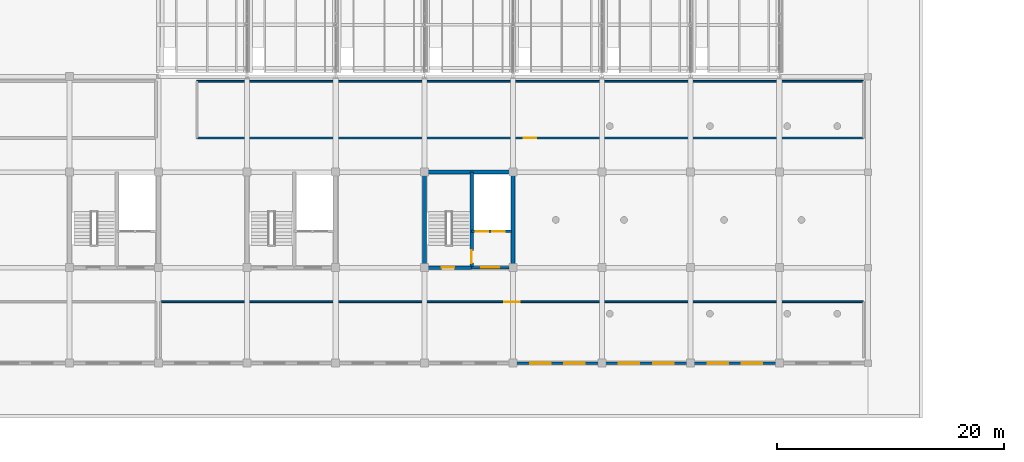
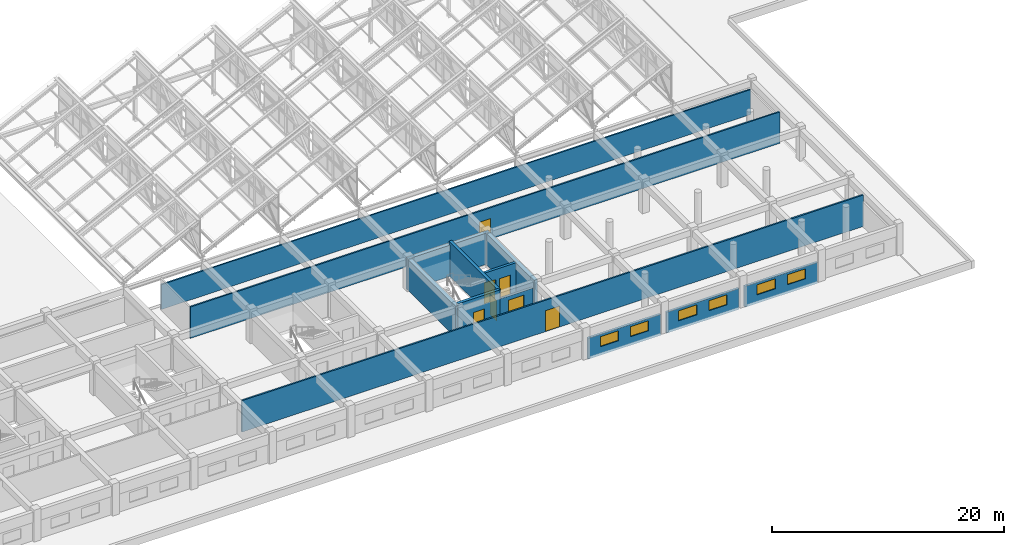
# One storey, part 91 of 101: 13 walls, 7 doors, 6 windows, 13 openings.
"""IFC4 building model written with IfcOpenShell, lengths in metres."""

from ifc_helpers import new_model, si_unit, direction, frame, frame_2d, origin, place, context, subcontext, project, spatial, rectangle, extrude, material, layer, layer_set, type_object, element, fill, save


model = new_model("IFC4")

# Units and contexts
model_context = context("Model", 3, precision=1e-05, world=origin(), true_north=direction((0.0, 1.0)))
body_context = subcontext(model_context, "Body", "Model", "MODEL_VIEW")
ifc_project = project(units=[si_unit("LENGTHUNIT", "METRE"), si_unit("AREAUNIT", "SQUARE_METRE"), si_unit("VOLUMEUNIT", "CUBIC_METRE"), si_unit("PLANEANGLEUNIT", "RADIAN"), si_unit("MASSUNIT", "GRAM", prefix="KILO")], contexts=[model_context])

# Site, building, storey
site_placement = place(None, origin())
site = spatial("IfcSite", under=ifc_project, at=site_placement, CompositionType="ELEMENT")
building_placement = place(site_placement, origin())
building = spatial("IfcBuilding", under=site, at=building_placement, Name="Zizhar Promenade General Hospital", CompositionType="ELEMENT")
storey_placement = place(building_placement, frame((0.0, 0.0, 14.39990234375)))
storey = spatial("IfcBuildingStorey", under=building, at=storey_placement, Name="L03", CompositionType="ELEMENT", Elevation=14.39990234375)

# Wall, openings, windows
ifc_material_1 = material(Name="Precast concrete C40/50", Category="concrete")
ifc_layer_1 = layer(ifc_material_1, 0.22509765625)
ifc_layer_set_1 = layer_set([ifc_layer_1], Name="Precast concrete C40/50")
wall_type_1 = type_object("IfcWallType", Name="EW-INT-225", PredefinedType="STANDARD", material=ifc_layer_set_1)
wall_1_placement = place(storey_placement, frame((108.909912109375, 0.0, 0.0), z_axis=(0.0, 0.0, 1.0), x_axis=(-1.0, 0.0, 0.0)))
wall_1 = element("IfcWall", 1, at=wall_1_placement, inside=storey, type_object=wall_type_1, Name="Riverfront Facade Wall L03-12", PredefinedType="STANDARD", context=body_context, shape_type="SweptSolid", body=[
    extrude(rectangle(XDim=7.219970703125, YDim=0.22509765625, at=frame_2d((3.60986328125, 0.0))), origin(), (0.0, 0.0, 1.0), 2.205078125),
])
opening_1_placement = place(wall_1_placement, frame((1.206787109375, 0.0, 0.89990234375)))
opening_1 = element("IfcOpeningElement", 2, at=opening_1_placement, cuts=wall_1, Name="Opening W-14", PredefinedType="OPENING", context=body_context, shape_type="SweptSolid", body=[
    extrude(rectangle(XDim=1.800048828125, YDim=1.050048828125, at=frame_2d((0.89990234375, 0.52490234375))), frame((0.0, 0.12255859375, 0.0), z_axis=(0.0, -1.0, 0.0), x_axis=(1.0, 0.0, 0.0)), (0.0, 0.0, 1.0), 0.2451171875),
])
opening_2_placement = place(wall_1_placement, frame((4.21337890625, 0.0, 0.89990234375)))
opening_2 = element("IfcOpeningElement", 3, at=opening_2_placement, cuts=wall_1, Name="Opening W-14", PredefinedType="OPENING", context=body_context, shape_type="SweptSolid", body=[
    extrude(rectangle(XDim=1.800048828125, YDim=1.050048828125, at=frame_2d((0.89990234375, 0.52490234375))), frame((0.0, 0.12255859375, 0.0), z_axis=(0.0, -1.0, 0.0), x_axis=(1.0, 0.0, 0.0)), (0.0, 0.0, 1.0), 0.2451171875),
])
ifc_material_2 = material(Name="Anodised aluminium 6063-T6 and low-E glass", Category="aluminium")
window_type = type_object("IfcWindowType", Name="WIN-INT-180x105", PartitioningType="DOUBLE_PANEL_HORIZONTAL", PredefinedType="WINDOW", material=ifc_material_2)
window_1_placement = place(opening_1_placement, origin())
window_1 = element("IfcWindow", 4, at=window_1_placement, inside=storey, type_object=window_type, Name="Riverfront Facade Wall L03-12 Window 1", OverallHeight=1.050048828125, OverallWidth=1.800048828125, PartitioningType="SINGLE_PANEL", PredefinedType="WINDOW", context=body_context, shape_type="SweptSolid", body=[
    extrude(rectangle(XDim=1.800048828125, YDim=1.050048828125, at=frame_2d((0.89990234375, 0.52490234375))), frame((0.0, 0.030029296875, 0.0), z_axis=(0.0, -1.0, 0.0), x_axis=(1.0, 0.0, 0.0)), (0.0, 0.0, 1.0), 0.06005859375),
])
fill(opening_1, window_1)
window_2_placement = place(opening_2_placement, origin())
window_2 = element("IfcWindow", 5, at=window_2_placement, inside=storey, type_object=window_type, Name="Riverfront Facade Wall L03-12 Window 2", OverallHeight=1.050048828125, OverallWidth=1.800048828125, PartitioningType="SINGLE_PANEL", PredefinedType="WINDOW", context=body_context, shape_type="SweptSolid", body=[
    extrude(rectangle(XDim=1.800048828125, YDim=1.050048828125, at=frame_2d((0.89990234375, 0.52490234375))), frame((0.0, 0.030029296875, 0.0), z_axis=(0.0, -1.0, 0.0), x_axis=(1.0, 0.0, 0.0)), (0.0, 0.0, 1.0), 0.06005859375),
])
fill(opening_2, window_2)

wall_2_placement = place(storey_placement, frame((116.7099609375, 0.0, 0.0), z_axis=(0.0, 0.0, 1.0), x_axis=(-1.0, 0.0, 0.0)))
wall_2 = element("IfcWall", 6, at=wall_2_placement, inside=storey, type_object=wall_type_1, Name="Riverfront Facade Wall L03-13", PredefinedType="STANDARD", context=body_context, shape_type="SweptSolid", body=[
    extrude(rectangle(XDim=7.219970703125, YDim=0.22509765625, at=frame_2d((3.60986328125, 0.0))), origin(), (0.0, 0.0, 1.0), 2.205078125),
])
opening_3_placement = place(wall_2_placement, frame((1.206787109375, 0.0, 0.89990234375)))
opening_3 = element("IfcOpeningElement", 7, at=opening_3_placement, cuts=wall_2, Name="Opening W-14", PredefinedType="OPENING", context=body_context, shape_type="SweptSolid", body=[
    extrude(rectangle(XDim=1.800048828125, YDim=1.050048828125, at=frame_2d((0.89990234375, 0.52490234375))), frame((0.0, 0.12255859375, 0.0), z_axis=(0.0, -1.0, 0.0), x_axis=(1.0, 0.0, 0.0)), (0.0, 0.0, 1.0), 0.2451171875),
])
opening_4_placement = place(wall_2_placement, frame((4.21337890625, 0.0, 0.89990234375)))
opening_4 = element("IfcOpeningElement", 8, at=opening_4_placement, cuts=wall_2, Name="Opening W-14", PredefinedType="OPENING", context=body_context, shape_type="SweptSolid", body=[
    extrude(rectangle(XDim=1.800048828125, YDim=1.050048828125, at=frame_2d((0.89990234375, 0.52490234375))), frame((0.0, 0.12255859375, 0.0), z_axis=(0.0, -1.0, 0.0), x_axis=(1.0, 0.0, 0.0)), (0.0, 0.0, 1.0), 0.2451171875),
])
window_3_placement = place(opening_3_placement, origin())
window_3 = element("IfcWindow", 9, at=window_3_placement, inside=storey, type_object=window_type, Name="Riverfront Facade Wall L03-13 Window 1", OverallHeight=1.050048828125, OverallWidth=1.800048828125, PartitioningType="SINGLE_PANEL", PredefinedType="WINDOW", context=body_context, shape_type="SweptSolid", body=[
    extrude(rectangle(XDim=1.800048828125, YDim=1.050048828125, at=frame_2d((0.89990234375, 0.52490234375))), frame((0.0, 0.030029296875, 0.0), z_axis=(0.0, -1.0, 0.0), x_axis=(1.0, 0.0, 0.0)), (0.0, 0.0, 1.0), 0.06005859375),
])
fill(opening_3, window_3)
window_4_placement = place(opening_4_placement, origin())
window_4 = element("IfcWindow", 10, at=window_4_placement, inside=storey, type_object=window_type, Name="Riverfront Facade Wall L03-13 Window 2", OverallHeight=1.050048828125, OverallWidth=1.800048828125, PartitioningType="SINGLE_PANEL", PredefinedType="WINDOW", context=body_context, shape_type="SweptSolid", body=[
    extrude(rectangle(XDim=1.800048828125, YDim=1.050048828125, at=frame_2d((0.89990234375, 0.52490234375))), frame((0.0, 0.030029296875, 0.0), z_axis=(0.0, -1.0, 0.0), x_axis=(1.0, 0.0, 0.0)), (0.0, 0.0, 1.0), 0.06005859375),
])
fill(opening_4, window_4)

wall_3_placement = place(storey_placement, frame((124.510009765625, 0.0, 0.0), z_axis=(0.0, 0.0, 1.0), x_axis=(-1.0, 0.0, 0.0)))
wall_3 = element("IfcWall", 11, at=wall_3_placement, inside=storey, type_object=wall_type_1, Name="Riverfront Facade Wall L03-14", PredefinedType="STANDARD", context=body_context, shape_type="SweptSolid", body=[
    extrude(rectangle(XDim=7.219970703125, YDim=0.22509765625, at=frame_2d((3.60986328125, 0.0))), origin(), (0.0, 0.0, 1.0), 2.205078125),
])
opening_5_placement = place(wall_3_placement, frame((1.206787109375, 0.0, 0.89990234375)))
opening_5 = element("IfcOpeningElement", 12, at=opening_5_placement, cuts=wall_3, Name="Opening W-14", PredefinedType="OPENING", context=body_context, shape_type="SweptSolid", body=[
    extrude(rectangle(XDim=1.800048828125, YDim=1.050048828125, at=frame_2d((0.89990234375, 0.52490234375))), frame((0.0, 0.12255859375, 0.0), z_axis=(0.0, -1.0, 0.0), x_axis=(1.0, 0.0, 0.0)), (0.0, 0.0, 1.0), 0.2451171875),
])
opening_6_placement = place(wall_3_placement, frame((4.21337890625, 0.0, 0.89990234375)))
opening_6 = element("IfcOpeningElement", 13, at=opening_6_placement, cuts=wall_3, Name="Opening W-14", PredefinedType="OPENING", context=body_context, shape_type="SweptSolid", body=[
    extrude(rectangle(XDim=1.800048828125, YDim=1.050048828125, at=frame_2d((0.89990234375, 0.52490234375))), frame((0.0, 0.12255859375, 0.0), z_axis=(0.0, -1.0, 0.0), x_axis=(1.0, 0.0, 0.0)), (0.0, 0.0, 1.0), 0.2451171875),
])
window_5_placement = place(opening_5_placement, origin())
window_5 = element("IfcWindow", 14, at=window_5_placement, inside=storey, type_object=window_type, Name="Riverfront Facade Wall L03-14 Window 1", OverallHeight=1.050048828125, OverallWidth=1.800048828125, PartitioningType="SINGLE_PANEL", PredefinedType="WINDOW", context=body_context, shape_type="SweptSolid", body=[
    extrude(rectangle(XDim=1.800048828125, YDim=1.050048828125, at=frame_2d((0.89990234375, 0.52490234375))), frame((0.0, 0.030029296875, 0.0), z_axis=(0.0, -1.0, 0.0), x_axis=(1.0, 0.0, 0.0)), (0.0, 0.0, 1.0), 0.06005859375),
])
fill(opening_5, window_5)
window_6_placement = place(opening_6_placement, origin())
window_6 = element("IfcWindow", 15, at=window_6_placement, inside=storey, type_object=window_type, Name="Riverfront Facade Wall L03-14 Window 2", OverallHeight=1.050048828125, OverallWidth=1.800048828125, PartitioningType="SINGLE_PANEL", PredefinedType="WINDOW", context=body_context, shape_type="SweptSolid", body=[
    extrude(rectangle(XDim=1.800048828125, YDim=1.050048828125, at=frame_2d((0.89990234375, 0.52490234375))), frame((0.0, 0.030029296875, 0.0), z_axis=(0.0, -1.0, 0.0), x_axis=(1.0, 0.0, 0.0)), (0.0, 0.0, 1.0), 0.06005859375),
])
fill(opening_6, window_6)

# Wall, opening, door
ifc_material_3 = material(Name="Clinical consultation partition")
ifc_layer_2 = layer(ifc_material_3, 0.14501953125)
ifc_layer_set_2 = layer_set([ifc_layer_2], Name="Clinical consultation partition")
wall_type_2 = type_object("IfcWallType", Name="IW-CLN-145", PredefinedType="PARTITIONING", material=ifc_layer_set_2)
wall_4_placement = place(storey_placement, frame((73.60009765625, 19.800048828125, 0.0), z_axis=(0.0, 0.0, 1.0), x_axis=(1.0, 0.0, 0.0)))
wall_4 = element("IfcWall", 16, at=wall_4_placement, inside=storey, type_object=wall_type_2, Name="Clinical IT Server and Nurse-Call Distribution Room S Partition", PredefinedType="PARTITIONING", context=body_context, shape_type="SweptSolid", body=[
    extrude(rectangle(XDim=58.599853515625, YDim=0.14501953125, at=frame_2d((29.2998046875, 0.0))), origin(), (0.0, 0.0, 1.0), 3.300048828125),
])
opening_7_placement = place(wall_4_placement, frame((28.75, 0.0, 0.0)))
opening_7 = element("IfcOpeningElement", 17, at=opening_7_placement, cuts=wall_4, Name="Opening D-14", PredefinedType="OPENING", context=body_context, shape_type="SweptSolid", body=[
    extrude(rectangle(XDim=1.10009765625, YDim=2.14990234375, at=frame_2d((0.550048828125, 1.074951171875))), frame((0.0, 0.08251953125, 0.0), z_axis=(0.0, -1.0, 0.0), x_axis=(1.0, 0.0, 0.0)), (0.0, 0.0, 1.0), 0.1650390625),
])
ifc_material_4 = material(Name="Fire-rated timber consultation leaf", Category="wood")
door_type_1 = type_object("IfcDoorType", Name="DR-CLN-CONS-110x215", OperationType="NOTDEFINED", PredefinedType="DOOR", material=ifc_material_4)
door_1_placement = place(opening_7_placement, origin())
door_1 = element("IfcDoor", 18, at=door_1_placement, inside=storey, type_object=door_type_1, Name="Clinical IT Server and Nurse-Call Distribution Room Door", OperationType="SINGLE_SWING_LEFT", OverallHeight=2.14990234375, OverallWidth=1.10009765625, PredefinedType="DOOR", context=body_context, shape_type="SweptSolid", body=[
    extrude(rectangle(XDim=1.10009765625, YDim=2.14990234375, at=frame_2d((0.550048828125, 1.074951171875))), frame((0.0, 0.02490234375, 0.0), z_axis=(0.0, -1.0, 0.0), x_axis=(1.0, 0.0, 0.0)), (0.0, 0.0, 1.0), 0.050048828125),
])
fill(opening_7, door_1)

# Wall
wall_5_placement = place(storey_placement, frame((73.60009765625, 24.800048828125, 0.0), z_axis=(0.0, 0.0, 1.0), x_axis=(1.0, 0.0, 0.0)))
element("IfcWall", 19, at=wall_5_placement, inside=storey, type_object=wall_type_2, Name="Clinical IT Server and Nurse-Call Distribution Room N Partition", PredefinedType="PARTITIONING", context=body_context, shape_type="SweptSolid", body=[
    extrude(rectangle(XDim=58.599853515625, YDim=0.14501953125, at=frame_2d((29.2998046875, 0.0))), origin(), (0.0, 0.0, 1.0), 2.6201171875),
])

# Wall, opening, door
ifc_material_5 = material(Name="Concrete C35/45", Category="concrete")
ifc_layer_3 = layer(ifc_material_5, 0.215087890625)
ifc_layer_set_3 = layer_set([ifc_layer_3], Name="Concrete C35/45")
wall_type_3 = type_object("IfcWallType", Name="IW-LOBBY-215", PredefinedType="STANDARD", material=ifc_layer_set_3)
wall_6_placement = place(storey_placement, frame((97.75, 8.39990234375, 0.0), z_axis=(0.0, 0.0, 1.0), x_axis=(1.0, 0.0, 0.0)))
wall_6 = element("IfcWall", 20, at=wall_6_placement, inside=storey, type_object=wall_type_3, Name="Core C5 Lift Lobby South Fire Wall (L03)", PredefinedType="STANDARD", context=body_context, shape_type="SweptSolid", body=[
    extrude(rectangle(XDim=3.2900390625, YDim=0.215087890625, at=frame_2d((1.64501953125, 0.0))), origin(), (0.0, 0.0, 1.0), 2.6201171875),
])
opening_8_placement = place(wall_6_placement, frame((0.864990234375, 0.0, 0.0)))
opening_8 = element("IfcOpeningElement", 21, at=opening_8_placement, cuts=wall_6, Name="Opening D-22", PredefinedType="OPENING", context=body_context, shape_type="SweptSolid", body=[
    extrude(rectangle(XDim=1.56005859375, YDim=2.199951171875, at=frame_2d((0.780029296875, 1.10009765625))), frame((0.0, 0.11767578125, 0.0), z_axis=(0.0, -1.0, 0.0), x_axis=(1.0, 0.0, 0.0)), (0.0, 0.0, 1.0), 0.235107421875),
])
ifc_material_6 = material(Name="Steel S355 firefighting lobby pair", Category="steel")
door_type_2 = type_object("IfcDoorType", Name="DR-LOBBY-FF-156x220", OperationType="DOUBLE_DOOR_SINGLE_SWING", PredefinedType="DOOR", material=ifc_material_6)
door_2_placement = place(opening_8_placement, origin())
door_2 = element("IfcDoor", 22, at=door_2_placement, inside=storey, type_object=door_type_2, Name="Core C5 Firefighting Lift Lobby Door (L03)", OperationType="DOUBLE_DOOR_SINGLE_SWING", OverallHeight=2.199951171875, OverallWidth=1.56005859375, PredefinedType="DOOR", context=body_context, shape_type="SweptSolid", body=[
    extrude(rectangle(XDim=1.56005859375, YDim=2.199951171875, at=frame_2d((0.780029296875, 1.10009765625))), frame((0.0, 0.02490234375, 0.0), z_axis=(0.0, -1.0, 0.0), x_axis=(1.0, 0.0, 0.0)), (0.0, 0.0, 1.0), 0.050048828125),
])
fill(opening_8, door_2)

# Wall, openings, doors
ifc_material_7 = material(Name="Concrete C35/45", Category="concrete")
ifc_layer_4 = layer(ifc_material_7, 0.25)
ifc_layer_set_4 = layer_set([ifc_layer_4], Name="Concrete C35/45")
wall_type_4 = type_object("IfcWallType", Name="IW-SHAFT-250", PredefinedType="STANDARD", material=ifc_layer_set_4)
wall_7_placement = place(storey_placement, frame((97.75, 11.60009765625, 0.0), z_axis=(0.0, 0.0, 1.0), x_axis=(1.0, 0.0, 0.0)))
wall_7 = element("IfcWall", 23, at=wall_7_placement, inside=storey, type_object=wall_type_4, Name="Core C5 Lift Shaft Landing Wall (L03)", PredefinedType="STANDARD", context=body_context, shape_type="SweptSolid", body=[
    extrude(rectangle(XDim=3.5, YDim=0.25, at=frame_2d((1.75, 0.0))), origin(), (0.0, 0.0, 1.0), 3.300048828125),
])
opening_9_placement = place(wall_7_placement, frame((0.35009765625, 0.0, 0.0)))
opening_9 = element("IfcOpeningElement", 24, at=opening_9_placement, cuts=wall_7, Name="Opening LD-11", PredefinedType="OPENING", context=body_context, shape_type="SweptSolid", body=[
    extrude(rectangle(XDim=1.10009765625, YDim=2.199951171875, at=frame_2d((0.550048828125, 1.10009765625))), frame((0.0, 0.135009765625, 0.0), z_axis=(0.0, -1.0, 0.0), x_axis=(1.0, 0.0, 0.0)), (0.0, 0.0, 1.0), 0.27001953125),
])
opening_10_placement = place(wall_7_placement, frame((1.800048828125, 0.0, 0.0)))
opening_10 = element("IfcOpeningElement", 25, at=opening_10_placement, cuts=wall_7, Name="Opening LD-11", PredefinedType="OPENING", context=body_context, shape_type="SweptSolid", body=[
    extrude(rectangle(XDim=1.10009765625, YDim=2.199951171875, at=frame_2d((0.550048828125, 1.10009765625))), frame((0.0, 0.135009765625, 0.0), z_axis=(0.0, -1.0, 0.0), x_axis=(1.0, 0.0, 0.0)), (0.0, 0.0, 1.0), 0.27001953125),
])
ifc_material_8 = material(Name="Stainless Steel S355 passenger lift landing door", Category="steel")
door_type_3 = type_object("IfcDoorType", Name="DR-LIFT-LD11", OperationType="SLIDING_TO_LEFT", PredefinedType="DOOR", material=ifc_material_8)
door_3_placement = place(opening_9_placement, origin())
door_3 = element("IfcDoor", 26, at=door_3_placement, inside=storey, type_object=door_type_3, Name="Lift LF-02 Sliding Landing Door (L03)", OperationType="SLIDING_TO_LEFT", OverallHeight=2.199951171875, OverallWidth=1.10009765625, PredefinedType="DOOR", context=body_context, shape_type="SweptSolid", body=[
    extrude(rectangle(XDim=1.10009765625, YDim=2.199951171875, at=frame_2d((0.550048828125, 1.10009765625))), frame((0.0, 0.02490234375, 0.0), z_axis=(0.0, -1.0, 0.0), x_axis=(1.0, 0.0, 0.0)), (0.0, 0.0, 1.0), 0.050048828125),
])
fill(opening_9, door_3)
door_4_placement = place(opening_10_placement, origin())
door_4 = element("IfcDoor", 27, at=door_4_placement, inside=storey, type_object=door_type_3, Name="Lift LB-04 Sliding Landing Door (L03)", OperationType="SLIDING_TO_LEFT", OverallHeight=2.199951171875, OverallWidth=1.10009765625, PredefinedType="DOOR", context=body_context, shape_type="SweptSolid", body=[
    extrude(rectangle(XDim=1.10009765625, YDim=2.199951171875, at=frame_2d((0.550048828125, 1.10009765625))), frame((0.0, 0.02490234375, 0.0), z_axis=(0.0, -1.0, 0.0), x_axis=(1.0, 0.0, 0.0)), (0.0, 0.0, 1.0), 0.050048828125),
])
fill(opening_10, door_4)

# Wall, opening, door
ifc_material_9 = material(Name="Acoustic patient bedroom partition")
ifc_layer_5 = layer(ifc_material_9, 0.155029296875)
ifc_layer_set_5 = layer_set([ifc_layer_5], Name="Acoustic patient bedroom partition")
wall_type_5 = type_object("IfcWallType", Name="IW-WARD-155", PredefinedType="PARTITIONING", material=ifc_layer_set_5)
wall_8_placement = place(storey_placement, frame((70.39990234375, 5.39990234375, 0.0), z_axis=(0.0, 0.0, 1.0), x_axis=(1.0, 0.0, 0.0)))
wall_8 = element("IfcWall", 28, at=wall_8_placement, inside=storey, type_object=wall_type_5, Name="Ward Hygienic Air Handling Plant East N Partition", PredefinedType="PARTITIONING", context=body_context, shape_type="SweptSolid", body=[
    extrude(rectangle(XDim=61.800048828125, YDim=0.155029296875, at=frame_2d((30.89990234375, 0.0))), origin(), (0.0, 0.0, 1.0), 3.300048828125),
])
opening_11_placement = place(wall_8_placement, frame((30.199951171875, 0.0, 0.0)))
opening_11 = element("IfcOpeningElement", 29, at=opening_11_placement, cuts=wall_8, Name="Opening D-06", PredefinedType="OPENING", context=body_context, shape_type="SweptSolid", body=[
    extrude(rectangle(XDim=1.39990234375, YDim=2.199951171875, at=frame_2d((0.699951171875, 1.10009765625))), frame((0.0, 0.08740234375, 0.0), z_axis=(0.0, -1.0, 0.0), x_axis=(1.0, 0.0, 0.0)), (0.0, 0.0, 1.0), 0.175048828125),
])
ifc_material_10 = material(Name="Fire-rated timber hospital bed leaf", Category="wood")
door_type_4 = type_object("IfcDoorType", Name="DR-BED-WARD-140x220", OperationType="NOTDEFINED", PredefinedType="DOOR", material=ifc_material_10)
door_5_placement = place(opening_11_placement, origin())
door_5 = element("IfcDoor", 30, at=door_5_placement, inside=storey, type_object=door_type_4, Name="Ward Hygienic Air Handling Plant East Door", OperationType="SINGLE_SWING_RIGHT", OverallHeight=2.199951171875, OverallWidth=1.39990234375, PredefinedType="DOOR", context=body_context, shape_type="SweptSolid", body=[
    extrude(rectangle(XDim=1.39990234375, YDim=2.199951171875, at=frame_2d((0.699951171875, 1.10009765625))), frame((0.0, 0.02490234375, 0.0), z_axis=(0.0, -1.0, 0.0), x_axis=(1.0, 0.0, 0.0)), (0.0, 0.0, 1.0), 0.050048828125),
])
fill(opening_11, door_5)

ifc_material_11 = material(Name="Concrete C40/50", Category="concrete")
ifc_layer_6 = layer(ifc_material_11, 0.300048828125)
ifc_layer_set_6 = layer_set([ifc_layer_6], Name="Concrete C40/50")
wall_type_6 = type_object("IfcWallType", Name="WL-CORE-300", PredefinedType="SHEAR", material=ifc_layer_set_6)
wall_9_placement = place(storey_placement, frame((93.60009765625, 8.39990234375, 0.0), z_axis=(0.0, 0.0, 1.0), x_axis=(1.0, 0.0, 0.0)))
wall_9 = element("IfcWall", 31, at=wall_9_placement, inside=storey, type_object=wall_type_6, Name="Core C5 Stair South Fire Wall (L03)", PredefinedType="SHEAR", context=body_context, shape_type="SweptSolid", body=[
    extrude(rectangle(XDim=4.14990234375, YDim=0.300048828125, at=frame_2d((2.074951171875, 0.0))), origin(), (0.0, 0.0, 1.0), 3.60009765625),
])
opening_12_placement = place(wall_9_placement, frame((1.514892578125, 0.0, 0.0)))
opening_12 = element("IfcOpeningElement", 32, at=opening_12_placement, cuts=wall_9, Name="Opening D-21", PredefinedType="OPENING", context=body_context, shape_type="SweptSolid", body=[
    extrude(rectangle(XDim=1.1201171875, YDim=2.14990234375, at=frame_2d((0.56005859375, 1.074951171875))), frame((0.0, 0.16015625, 0.0), z_axis=(0.0, -1.0, 0.0), x_axis=(1.0, 0.0, 0.0)), (0.0, 0.0, 1.0), 0.320068359375),
])
ifc_material_12 = material(Name="Steel S355 protected stair door", Category="steel")
door_type_5 = type_object("IfcDoorType", Name="DR-STAIR-112x215", OperationType="NOTDEFINED", PredefinedType="DOOR", material=ifc_material_12)
door_6_placement = place(opening_12_placement, origin())
door_6 = element("IfcDoor", 33, at=door_6_placement, inside=storey, type_object=door_type_5, Name="Exit Stair ST-05 Door (L03)", OperationType="SINGLE_SWING_RIGHT", OverallHeight=2.14990234375, OverallWidth=1.1201171875, PredefinedType="DOOR", context=body_context, shape_type="SweptSolid", body=[
    extrude(rectangle(XDim=1.1201171875, YDim=2.14990234375, at=frame_2d((0.56005859375, 1.074951171875))), frame((0.0, 0.02490234375, 0.0), z_axis=(0.0, -1.0, 0.0), x_axis=(1.0, 0.0, 0.0)), (0.0, 0.0, 1.0), 0.050048828125),
])
fill(opening_12, door_6)

wall_10_placement = place(storey_placement, frame((97.75, 8.39990234375, 0.0), z_axis=(0.0, 0.0, 1.0), x_axis=(0.0, 1.0, 0.0)))
wall_10 = element("IfcWall", 34, at=wall_10_placement, inside=storey, type_object=wall_type_6, Name="Core C5 Stair-Shaft Separation Wall (L03)", PredefinedType="SHEAR", context=body_context, shape_type="SweptSolid", body=[
    extrude(rectangle(XDim=8.400146484375, YDim=0.300048828125, at=frame_2d((4.2001953125, 0.0))), origin(), (0.0, 0.0, 1.0), 3.60009765625),
])
opening_13_placement = place(wall_10_placement, frame((0.39990234375, 0.0, 0.0)))
opening_13 = element("IfcOpeningElement", 35, at=opening_13_placement, cuts=wall_10, Name="Opening D-21", PredefinedType="OPENING", context=body_context, shape_type="SweptSolid", body=[
    extrude(rectangle(XDim=1.1201171875, YDim=2.14990234375, at=frame_2d((0.56005859375, 1.074951171875))), frame((0.0, 0.16015625, 0.0), z_axis=(0.0, -1.0, 0.0), x_axis=(1.0, 0.0, 0.0)), (0.0, 0.0, 1.0), 0.320068359375),
])
door_7_placement = place(opening_13_placement, origin())
door_7 = element("IfcDoor", 36, at=door_7_placement, inside=storey, type_object=door_type_5, Name="Firefighting Lobby to Stair ST-05 Door (L03)", OperationType="SINGLE_SWING_LEFT", OverallHeight=2.14990234375, OverallWidth=1.1201171875, PredefinedType="DOOR", context=body_context, shape_type="SweptSolid", body=[
    extrude(rectangle(XDim=1.1201171875, YDim=2.14990234375, at=frame_2d((0.56005859375, 1.074951171875))), frame((0.0, 0.02490234375, 0.0), z_axis=(0.0, -1.0, 0.0), x_axis=(1.0, 0.0, 0.0)), (0.0, 0.0, 1.0), 0.050048828125),
])
fill(opening_13, door_7)

# Walls
ifc_material_13 = material(Name="Concrete C40/50", Category="concrete")
ifc_layer_7 = layer(ifc_material_13, 0.35009765625)
ifc_layer_set_7 = layer_set([ifc_layer_7], Name="Concrete C40/50")
wall_type_7 = type_object("IfcWallType", Name="WL-CORE-350", PredefinedType="SHEAR", material=ifc_layer_set_7)
wall_11_placement = place(storey_placement, frame((93.425048828125, 16.800048828125, 0.0), z_axis=(0.0, 0.0, 1.0), x_axis=(1.0, 0.0, 0.0)))
element("IfcWall", 37, at=wall_11_placement, inside=storey, type_object=wall_type_7, Name="Core C5 North Shear Wall L03", PredefinedType="SHEAR", context=body_context, shape_type="SweptSolid", body=[
    extrude(rectangle(XDim=8.14990234375, YDim=0.35009765625, at=frame_2d((4.074951171875, 0.0))), origin(), (0.0, 0.0, 1.0), 3.280029296875),
])
for number, where, z_axis, x_axis, name in (
    (38, (93.60009765625, 8.39990234375, 0.0), (0.0, 0.0, 1.0), (0.0, 1.0, 0.0), "Core C5 West Shear Wall L03"),
    (39, (101.39990234375, 8.39990234375, 0.0), (0.0, 0.0, 1.0), (0.0, 1.0, 0.0), "Core C5 East Shear Wall L03"),
):
    element("IfcWall", number, at=place(storey_placement, frame(where, z_axis=z_axis, x_axis=x_axis)), inside=storey, type_object=wall_type_7, Name=name, PredefinedType="SHEAR", context=body_context, shape_type="SweptSolid", body=[
        extrude(rectangle(XDim=8.400146484375, YDim=0.35009765625, at=frame_2d((4.2001953125, 0.0))), origin(), (0.0, 0.0, 1.0), 3.280029296875),
    ])

save(model, "model.ifc")
